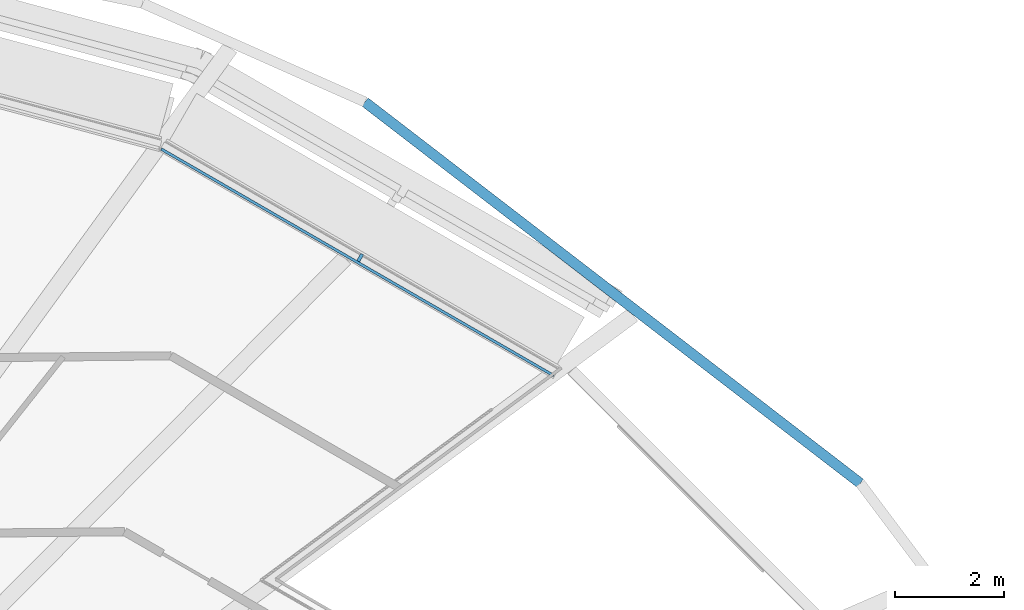
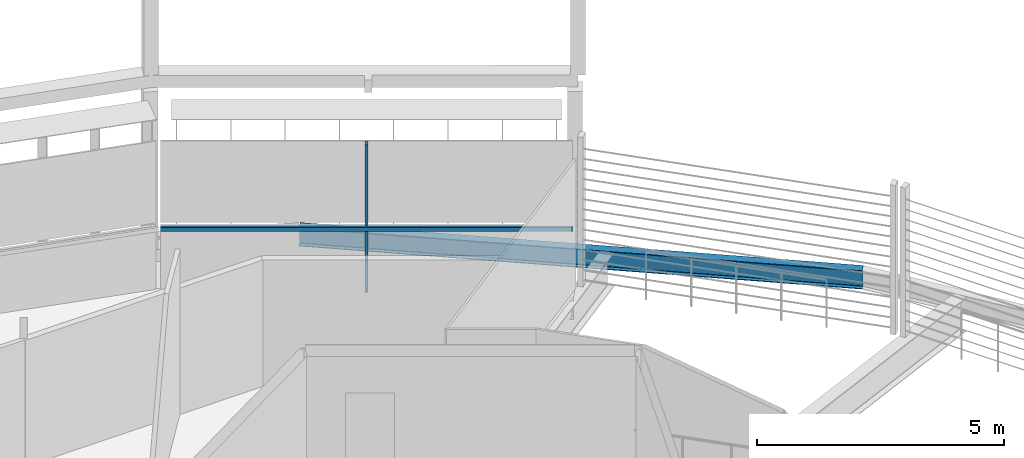
# One storey, part 10 of 28: 2 members, 1 beam, 1 element without a shape of its own.
"""IFC4 building model written with IfcOpenShell, lengths in metres."""

from ifc_helpers import new_model, si_unit, direction, frame, origin, origin_2d, place, context, subcontext, project, spatial, rectangle, i_section, extrude, material, layer, layer_set, material_profile, profile_set, type_object, element, aggregate, save


model = new_model("IFC4")

# Units and contexts
model_context = context("Model", 3, precision=1e-05, world=origin(), true_north=direction((0.0, 1.0)))
body_context = subcontext(model_context, "Body", "Model", "MODEL_VIEW")
ifc_project = project(units=[si_unit("LENGTHUNIT", "METRE"), si_unit("AREAUNIT", "SQUARE_METRE"), si_unit("VOLUMEUNIT", "CUBIC_METRE"), si_unit("PLANEANGLEUNIT", "RADIAN"), si_unit("MASSUNIT", "GRAM", prefix="KILO")], contexts=[model_context])

# Site, building, storey
site_placement = place(None, origin())
site = spatial("IfcSite", under=ifc_project, at=site_placement, CompositionType="ELEMENT")
building_placement = place(site_placement, origin())
building = spatial("IfcBuilding", under=site, at=building_placement, Name="Sahrelin Media Tower", CompositionType="ELEMENT")
storey_placement = place(building_placement, frame((0.0, 0.0, 75.60009765625)))
storey = spatial("IfcBuildingStorey", under=building, at=storey_placement, Name="L13", CompositionType="ELEMENT", Elevation=75.60009765625)

# Curtain wall, member
ifc_material_1 = material(Name="Champagne anodised aluminium 6063-T6", Category="aluminium")
ifc_layer = layer(ifc_material_1, 0.14990234375)
ifc_layer_set = layer_set([ifc_layer], Name="Tower ribbon curtain wall")
curtain_wall_type = type_object("IfcCurtainWallType", Name="Tower ribbon curtain wall", PredefinedType="NOTDEFINED", material=ifc_layer_set)
curtain_wall_placement = place(storey_placement, frame((18.873291015625, 18.79248046875, 0.0), z_axis=(0.0, 0.0, 1.0), x_axis=(1.0, 0.0, 0.0)))
curtain_wall = element("IfcCurtainWall", 1, at=curtain_wall_placement, inside=storey, type_object=curtain_wall_type, Name="L13:CW:L13-04", PredefinedType="NOTDEFINED")
ifc_material_profile_1 = material_profile(ifc_material_1, rectangle(XDim=0.06005859375, YDim=0.14990234375, at=origin_2d()), Name="Mullion 60x150")
ifc_profile_set_1 = profile_set([ifc_material_profile_1], Name="Champagne anodised aluminium 6063-T6")
member_type_1 = type_object("IfcMemberType", Name="Mullion 60x150 CW1", PredefinedType="MULLION", material=ifc_profile_set_1)
member_1_placement = place(storey_placement, frame((18.82568359375, 18.710205078125, 0.0), z_axis=(0.0, 0.0, 1.0), x_axis=(-0.866022785779, 0.500004534492, 0.0)))
member_1 = element("IfcMember", 2, at=member_1_placement, type_object=member_type_1, Name="L13:CWM:L13-04", PredefinedType="MULLION", context=body_context, shape_type="SweptSolid", body=[
    extrude(rectangle(XDim=0.06005859375, YDim=0.14990234375, at=origin_2d()), origin(), (0.0, 0.0, 1.0), 3.6484375),
])

# Beam
ifc_material_2 = material(Name="Steel S355", Category="steel")
ifc_material_profile_2 = material_profile(ifc_material_2, i_section(OverallWidth=0.1904296875, OverallDepth=0.45703125, WebThickness=0.009033203125, FlangeThickness=0.014404296875, FilletRadius=0.01025390625, at=origin_2d()), Name="UB 457x191x74")
ifc_profile_set_2 = profile_set([ifc_material_profile_2], Name="Steel S355")
beam_type = type_object("IfcBeamType", Name="Tie chord TC5", PredefinedType="BEAM", material=ifc_profile_set_2)
beam_placement = place(storey_placement, frame((28.033203125, 14.556884765625, -0.378662109375), z_axis=(-0.792438643027, 0.609951634998, 0.0), x_axis=(-0.609951634998, -0.792438643027, 0.0)))
element("IfcBeam", 3, at=beam_placement, inside=storey, type_object=beam_type, Name="Tie chord L13-03", PredefinedType="BEAM", context=body_context, shape_type="SweptSolid", body=[
    extrude(i_section(OverallWidth=0.1904296875, OverallDepth=0.45703125, WebThickness=0.009033203125, FlangeThickness=0.014404296875, FilletRadius=0.01025390625, at=origin_2d()), origin(), (0.0, 0.0, 1.0), 11.509521484375),
])

# Member
ifc_material_profile_3 = material_profile(ifc_material_1, rectangle(XDim=0.050048828125, YDim=0.10009765625, at=origin_2d()), Name="Transom 50x100")
ifc_profile_set_3 = profile_set([ifc_material_profile_3], Name="Champagne anodised aluminium 6063-T6")
member_type_2 = type_object("IfcMemberType", Name="Transom 50x100 CW1", PredefinedType="USERDEFINED", material=ifc_profile_set_3)
member_2_placement = place(storey_placement, frame((22.389404296875, 16.537353515625, 1.599853515625), z_axis=(-0.866021890525, 0.500006085094, 0.0), x_axis=(-0.500006085094, -0.866021890525, 0.0)))
member_2 = element("IfcMember", 4, at=member_2_placement, type_object=member_type_2, Name="L13:CWT:L13-04", ObjectType="TRANSOM", PredefinedType="USERDEFINED", context=body_context, shape_type="SweptSolid", body=[
    extrude(rectangle(XDim=0.050048828125, YDim=0.10009765625, at=origin_2d()), origin(), (0.0, 0.0, 1.0), 8.34521484375),
])

aggregate(curtain_wall, [member_1, member_2])

save(model, "model.ifc")
